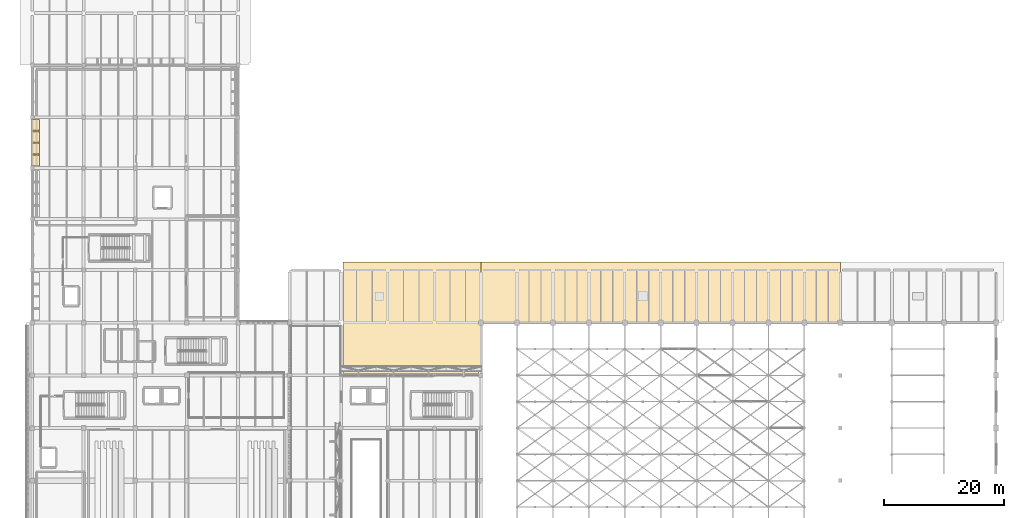
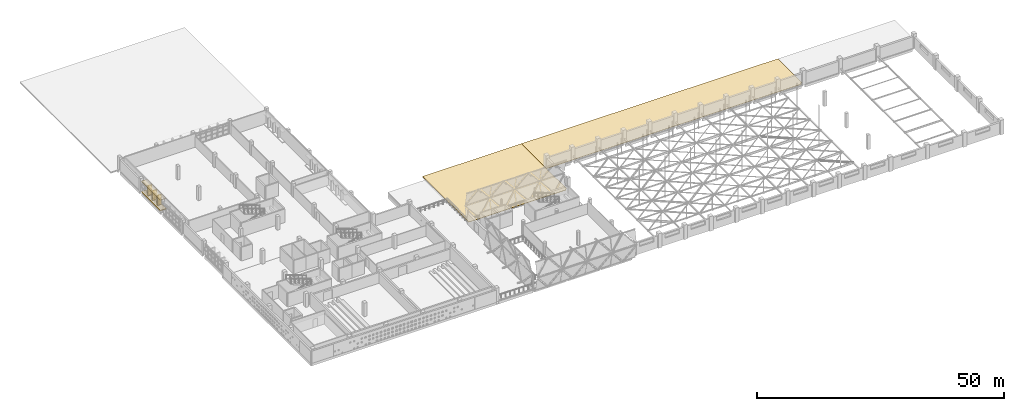
# One storey, part 91 of 93: 4 coverings, 3 shading devices.
"""IFC4 building model written with IfcOpenShell, lengths in metres."""

from ifc_helpers import new_model, si_unit, direction, frame, origin, origin_2d, place, context, subcontext, project, spatial, polyline, rectangle, outline, extrude, material, layer, layer_set, type_object, element, save


model = new_model("IFC4")

# Units and contexts
model_context = context("Model", 3, precision=1e-05, world=origin(), true_north=direction((0.0, 1.0)))
body_context = subcontext(model_context, "Body", "Model", "MODEL_VIEW")
ifc_project = project(units=[si_unit("LENGTHUNIT", "METRE"), si_unit("AREAUNIT", "SQUARE_METRE"), si_unit("VOLUMEUNIT", "CUBIC_METRE"), si_unit("PLANEANGLEUNIT", "RADIAN"), si_unit("MASSUNIT", "GRAM", prefix="KILO")], contexts=[model_context])

# Site, building, storey
site_placement = place(None, origin())
site = spatial("IfcSite", under=ifc_project, at=site_placement, CompositionType="ELEMENT")
building_placement = place(site_placement, origin())
building = spatial("IfcBuilding", under=site, at=building_placement, Name="Varnakota Cinema and Media Centre", CompositionType="ELEMENT")
storey_placement = place(building_placement, frame((0.0, 0.0, 12.0)))
storey = spatial("IfcBuildingStorey", under=building, at=storey_placement, Name="L03", CompositionType="ELEMENT", Elevation=12.0)

# Coverings
ifc_material_1 = material(Name="Precast concrete M40", Category="concrete")
ifc_layer_1 = layer(ifc_material_1, 0.159912109375)
ifc_layer_set_1 = layer_set([ifc_layer_1], Name="Precast concrete M40")
covering_type_1 = type_object("IfcCoveringType", Name="COV-CHAJJA-160", PredefinedType="CLADDING", material=ifc_layer_set_1)
covering_1_placement = place(storey_placement, frame((0.0, 0.0, 2.574951171875)))
element("IfcCovering", 1, at=covering_1_placement, inside=storey, type_object=covering_type_1, Name="L03 Brutalist chajja overhang V5-W-2", PredefinedType="CLADDING", context=body_context, shape_type="SweptSolid", body=[
    extrude(outline(polyline([(-0.179931640625, 69.135009765625), (-0.179931640625, 61.389892578125), (1.219970703125, 61.389892578125), (1.219970703125, 69.135009765625), (-0.179931640625, 69.135009765625)])), origin(), (0.0, 0.0, 1.0), 0.16015625),
])
covering_2_placement = place(storey_placement, origin())
element("IfcCovering", 2, at=covering_2_placement, inside=storey, type_object=covering_type_1, Name="L03 brise-soleil base plinth V5-W-2", PredefinedType="CLADDING", context=body_context, shape_type="SweptSolid", body=[
    extrude(outline(polyline([(-0.179931640625, 69.135009765625), (-0.179931640625, 61.389892578125), (1.179931640625, 61.389892578125), (1.179931640625, 69.135009765625), (-0.179931640625, 69.135009765625)])), origin(), (0.0, 0.0, 1.0), 0.159912109375),
])
ifc_material_2 = material(Name="Pale Tandur limestone cool roof", Category="masonry")
ifc_layer_2 = layer(ifc_material_2, 0.080078125)
ifc_layer_set_2 = layer_set([ifc_layer_2], Name="Pale Tandur limestone cool roof")
covering_type_2 = type_object("IfcCoveringType", Name="COV-COOLROOF-80", PredefinedType="ROOFING", material=ifc_layer_set_2)
covering_3_placement = place(storey_placement, origin())
element("IfcCovering", 3, at=covering_3_placement, inside=storey, type_object=covering_type_2, Name="L03 cool roof membrane ROOF-CHOWK-LINK", PredefinedType="ROOFING", context=body_context, shape_type="SweptSolid", body=[
    extrude(outline(polyline([(51.89990234375, 26.699951171875), (74.64990234375, 26.699951171875), (74.64990234375, 27.050048828125), (75.0, 27.050048828125), (75.0, 45.35009765625), (51.89990234375, 45.35009765625), (51.89990234375, 26.699951171875)])), origin(), (0.0, 0.0, 1.0), 0.080078125),
])
covering_4_placement = place(storey_placement, origin())
element("IfcCovering", 4, at=covering_4_placement, inside=storey, type_object=covering_type_2, Name="L03 cool roof membrane ROOF-V1-CONC", PredefinedType="ROOFING", context=body_context, shape_type="SweptSolid", body=[
    extrude(outline(polyline([(75.0, 35.199951171875), (134.64990234375, 35.199951171875), (134.64990234375, 35.550048828125), (135.0, 35.550048828125), (135.0, 45.35009765625), (75.0, 45.35009765625), (75.0, 35.199951171875)])), origin(), (0.0, 0.0, 1.0), 0.080078125),
])

# Shading devices
ifc_material_3 = material(Name="Precast concrete M40", Category="concrete")
shading_device_type = type_object("IfcShadingDeviceType", Name="SHD-BRISE-FIN-240", PredefinedType="JALOUSIE", material=ifc_material_3)
for number, where, z_axis, x_axis, name in (
    (5, (0.6298828125, 67.21875, 0.14990234375), (0.0, 0.0, 1.0), (0.0, -1.0, 0.0), "L03 vertical concrete brise-soleil fin V5-W-2.1"),
    (6, (0.6298828125, 65.262451171875, 0.14990234375), (0.0, 0.0, 1.0), (0.0, -1.0, 0.0), "L03 vertical concrete brise-soleil fin V5-W-2.2"),
    (7, (0.6298828125, 63.306396484375, 0.14990234375), (0.0, 0.0, 1.0), (0.0, -1.0, 0.0), "L03 vertical concrete brise-soleil fin V5-W-2.3"),
):
    element("IfcShadingDevice", number, at=place(storey_placement, frame(where, z_axis=z_axis, x_axis=x_axis)), inside=storey, type_object=shading_device_type, Name=name, PredefinedType="JALOUSIE", context=body_context, shape_type="SweptSolid", body=[
        extrude(rectangle(XDim=0.239990234375, YDim=1.02001953125, at=origin_2d()), origin(), (0.0, 0.0, 1.0), 2.43505859375),
    ])

save(model, "model.ifc")
